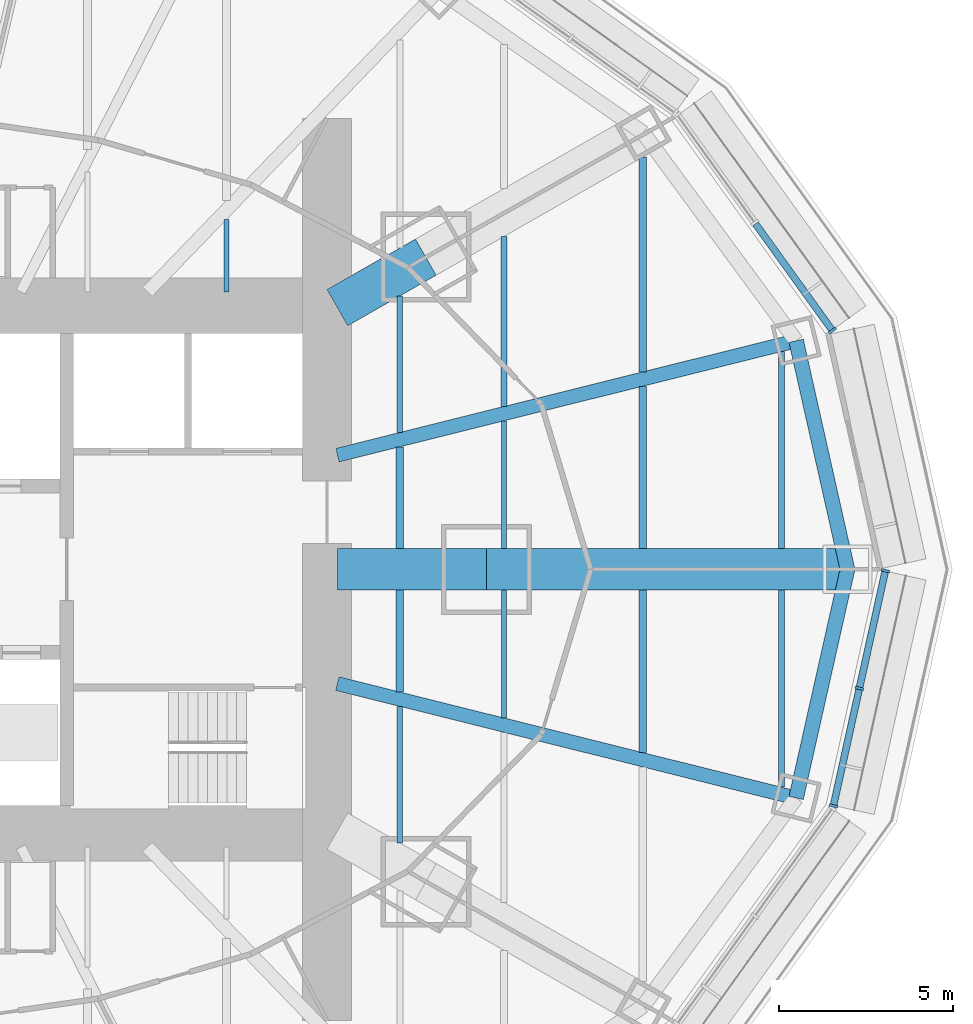
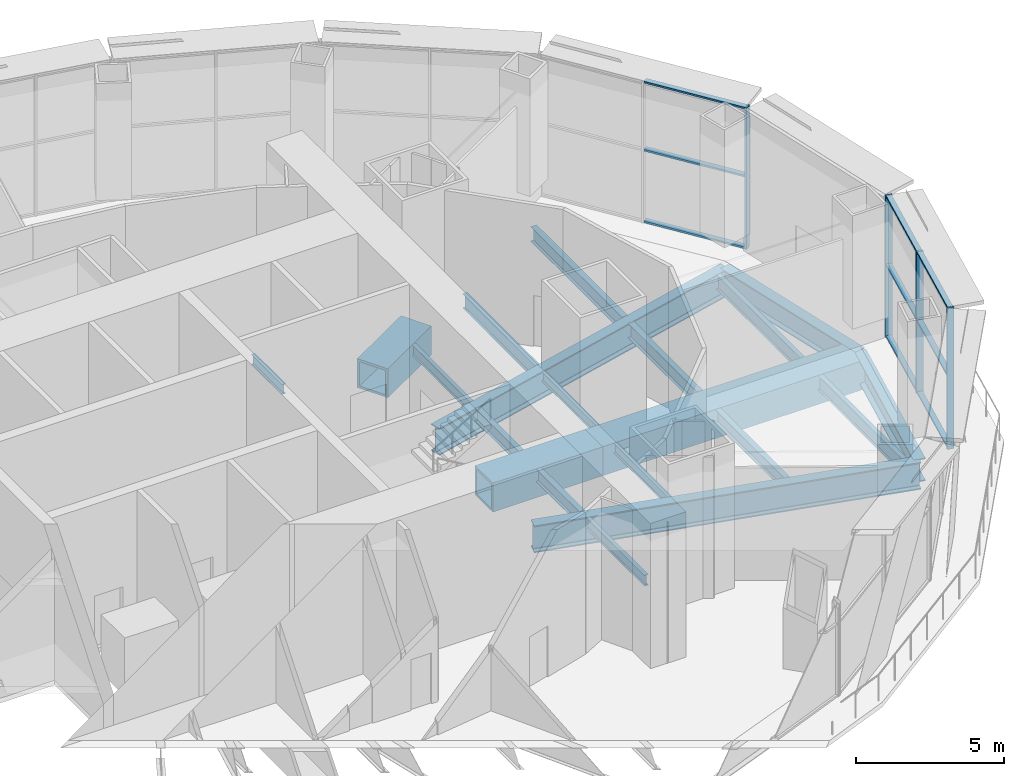
# One storey, part 5 of 21: 20 beams, 13 members, 2 elements without a shape of their own.
"""IFC4 building model written with IfcOpenShell, lengths in metres."""

from ifc_helpers import new_model, si_unit, direction, frame, origin, origin_2d, place, context, subcontext, project, spatial, rectangle, hollow_rectangle, i_section, extrude, material, material_profile, profile_set, type_object, element, aggregate, save


model = new_model("IFC4")

# Units and contexts
model_context = context("Model", 3, precision=1e-05, world=origin(), true_north=direction((0.0, 1.0)))
body_context = subcontext(model_context, "Body", "Model", "MODEL_VIEW")
ifc_project = project(units=[si_unit("LENGTHUNIT", "METRE"), si_unit("AREAUNIT", "SQUARE_METRE"), si_unit("VOLUMEUNIT", "CUBIC_METRE"), si_unit("PLANEANGLEUNIT", "RADIAN"), si_unit("MASSUNIT", "GRAM", prefix="KILO")], contexts=[model_context])

# Site, building, storey
site_placement = place(None, origin())
site = spatial("IfcSite", under=ifc_project, at=site_placement, CompositionType="ELEMENT")
building_placement = place(site_placement, origin())
building = spatial("IfcBuilding", under=site, at=building_placement, Name="Lantaw Convention Tower", CompositionType="ELEMENT")
storey_placement = place(building_placement, frame((0.0, 0.0, 111.39990234375)))
storey = spatial("IfcBuildingStorey", under=building, at=storey_placement, Name="L26", CompositionType="ELEMENT", Elevation=111.39990234375)

# Beams
ifc_material_1 = material(Name="Steel ASTM A992", Category="steel")
ifc_material_profile_1 = material_profile(ifc_material_1, i_section(OverallWidth=0.424072265625, OverallDepth=0.947509765625, WebThickness=0.02392578125, FlangeThickness=0.042724609375, FilletRadius=0.012451171875, at=origin_2d()), Name="W36X302")
ifc_profile_set_1 = profile_set([ifc_material_profile_1], Name="Steel ASTM A992")
beam_type_1 = type_object("IfcBeamType", Name="Beam BC W36X302", PredefinedType="SPANDREL", material=ifc_profile_set_1)
for number, where, z_axis, x_axis, name in (
    (1, (27.89990234375, 0.0, -0.673583984375), (-0.219211877447, 0.975677279015, 0.0), (-0.975677279015, -0.219211877447, 0.0), "Belt truss chord 1"),
    (2, (26.419921875, -6.587158203125, -0.673583984375), (0.219211877447, 0.975677279015, 0.0), (-0.975677279015, 0.219211877447, 0.0), "Belt truss chord 24"),
):
    element("IfcBeam", number, at=place(storey_placement, frame(where, z_axis=z_axis, x_axis=x_axis)), inside=storey, type_object=beam_type_1, Name=name, PredefinedType="SPANDREL", context=body_context, shape_type="SweptSolid", body=[
        extrude(i_section(OverallWidth=0.424072265625, OverallDepth=0.947509765625, WebThickness=0.02392578125, FlangeThickness=0.042724609375, FilletRadius=0.012451171875, at=origin_2d()), origin(), (0.0, 0.0, 1.0), 6.75146484375),
    ])
ifc_material_2 = material(Name="Steel EN 10025-3 S460N", Category="steel")
ifc_material_profile_2 = material_profile(ifc_material_2, hollow_rectangle(XDim=1.199951171875, YDim=1.199951171875, WallThickness=0.10009765625, at=origin_2d()), Name="BOX1200X100")
ifc_profile_set_2 = profile_set([ifc_material_profile_2], Name="Steel EN 10025-3 S460N")
beam_type_2 = type_object("IfcBeamType", Name="Beam G BOX1200X100", PredefinedType="BEAM", material=ifc_profile_set_2)
beam_1_placement = place(storey_placement, frame((17.5, 0.0, -0.7998046875), z_axis=(1.0, 0.0, 0.0), x_axis=(0.0, 1.0, 0.0)))
element("IfcBeam", 3, at=beam_1_placement, inside=storey, type_object=beam_type_2, Name="Floor girder on ray 1", PredefinedType="BEAM", context=body_context, shape_type="SweptSolid", body=[
    extrude(hollow_rectangle(XDim=1.199951171875, YDim=1.199951171875, WallThickness=0.10009765625, at=origin_2d()), origin(), (0.0, 0.0, 1.0), 10.39990234375),
])
ifc_material_profile_3 = material_profile(ifc_material_1, i_section(OverallWidth=0.40380859375, OverallDepth=1.11767578125, WebThickness=0.026123046875, FlangeThickness=0.044921875, FilletRadius=0.02001953125, at=origin_2d()), Name="W44X335")
ifc_profile_set_3 = profile_set([ifc_material_profile_3], Name="Steel ASTM A992")
beam_type_3 = type_object("IfcBeamType", Name="Beam G W44X335", PredefinedType="BEAM", material=ifc_profile_set_3)
for number, where, z_axis, x_axis, name in (
    (4, (13.199951171875, 3.291015625, -0.7587890625), (0.970295145923, 0.241924223256, 0.0), (-0.241924223256, 0.970295145923, 0.0), "Floor girder on ray 2"),
    (5, (13.199951171875, -3.291015625, -0.7587890625), (0.970295145923, -0.241924223256, 0.0), (0.241924223256, 0.970295145923, 0.0), "Floor girder on ray 24"),
):
    element("IfcBeam", number, at=place(storey_placement, frame(where, z_axis=z_axis, x_axis=x_axis)), inside=storey, type_object=beam_type_3, Name=name, PredefinedType="BEAM", context=body_context, shape_type="SweptSolid", body=[
        extrude(i_section(OverallWidth=0.40380859375, OverallDepth=1.11767578125, WebThickness=0.026123046875, FlangeThickness=0.044921875, FilletRadius=0.02001953125, at=origin_2d()), origin(), (0.0, 0.0, 1.0), 13.624755859375),
    ])
ifc_material_profile_4 = material_profile(ifc_material_1, i_section(OverallWidth=0.140380859375, OverallDepth=0.40380859375, WebThickness=0.007080078125, FlangeThickness=0.01123046875, FilletRadius=0.01025390625, at=origin_2d()), Name="W16X31")
ifc_profile_set_4 = profile_set([ifc_material_profile_4], Name="Steel ASTM A992")
beam_type_4 = type_object("IfcBeamType", Name="Beam J W16X31", PredefinedType="JOIST", material=ifc_profile_set_4)
beam_2_placement = place(storey_placement, frame((10.0, 8.0, -0.40185546875), z_axis=(0.0, 1.0, 0.0), x_axis=(-1.0, 0.0, 0.0)))
element("IfcBeam", 6, at=beam_2_placement, inside=storey, type_object=beam_type_4, Name="Floor joist", PredefinedType="JOIST", context=body_context, shape_type="SweptSolid", body=[
    extrude(i_section(OverallWidth=0.140380859375, OverallDepth=0.40380859375, WebThickness=0.007080078125, FlangeThickness=0.01123046875, FilletRadius=0.01025390625, at=origin_2d()), origin(), (0.0, 0.0, 1.0), 2.079345703125),
])
for number, where, z_axis, x_axis, name in (
    (7, (18.0, -4.27978515625, -0.40185546875), (0.0, 1.0, 0.0), (-1.0, 0.0, 0.0), "Floor joist"),
    (8, (18.0, 0.60009765625, -0.40185546875), (0.0, 1.0, 0.0), (-1.0, 0.0, 0.0), "Floor joist"),
):
    element("IfcBeam", number, at=place(storey_placement, frame(where, z_axis=z_axis, x_axis=x_axis)), inside=storey, type_object=beam_type_4, Name=name, PredefinedType="JOIST", context=body_context, shape_type="SweptSolid", body=[
        extrude(i_section(OverallWidth=0.140380859375, OverallDepth=0.40380859375, WebThickness=0.007080078125, FlangeThickness=0.01123046875, FilletRadius=0.01025390625, at=origin_2d()), origin(), (0.0, 0.0, 1.0), 3.6796875),
    ])
ifc_material_profile_5 = material_profile(ifc_material_1, i_section(OverallWidth=0.15234375, OverallDepth=0.449462890625, WebThickness=0.007568359375, FlangeThickness=0.0107421875, FilletRadius=0.01025390625, at=origin_2d()), Name="W18X35")
ifc_profile_set_5 = profile_set([ifc_material_profile_5], Name="Steel ASTM A992")
beam_type_5 = type_object("IfcBeamType", Name="Beam J W18X35", PredefinedType="JOIST", material=ifc_profile_set_5)
for number, where, z_axis, x_axis, name in (
    (9, (15.0, -7.88037109375, -0.4248046875), (0.0, 1.0, 0.0), (-1.0, 0.0, 0.0), "Floor joist"),
    (10, (15.0, 3.947998046875, -0.4248046875), (0.0, 1.0, 0.0), (-1.0, 0.0, 0.0), "Floor joist"),
):
    element("IfcBeam", number, at=place(storey_placement, frame(where, z_axis=z_axis, x_axis=x_axis)), inside=storey, type_object=beam_type_5, Name=name, PredefinedType="JOIST", context=body_context, shape_type="SweptSolid", body=[
        extrude(i_section(OverallWidth=0.15234375, OverallDepth=0.449462890625, WebThickness=0.007568359375, FlangeThickness=0.0107421875, FilletRadius=0.01025390625, at=origin_2d()), origin(), (0.0, 0.0, 1.0), 3.932373046875),
    ])
ifc_material_profile_6 = material_profile(ifc_material_1, i_section(OverallWidth=0.2099609375, OverallDepth=0.535888671875, WebThickness=0.010986328125, FlangeThickness=0.017333984375, FilletRadius=0.012939453125, at=origin_2d()), Name="W21X68")
ifc_profile_set_6 = profile_set([ifc_material_profile_6], Name="Steel ASTM A992")
beam_type_6 = type_object("IfcBeamType", Name="Beam J W21X68", PredefinedType="JOIST", material=ifc_profile_set_6)
for number, where, z_axis, x_axis, name in (
    (11, (15.0, -3.53173828125, -0.4677734375), (0.0, 1.0, 0.0), (-1.0, 0.0, 0.0), "Floor joist"),
    (12, (15.0, 0.60009765625, -0.4677734375), (0.0, 1.0, 0.0), (-1.0, 0.0, 0.0), "Floor joist"),
):
    element("IfcBeam", number, at=place(storey_placement, frame(where, z_axis=z_axis, x_axis=x_axis)), inside=storey, type_object=beam_type_6, Name=name, PredefinedType="JOIST", context=body_context, shape_type="SweptSolid", body=[
        extrude(i_section(OverallWidth=0.2099609375, OverallDepth=0.535888671875, WebThickness=0.010986328125, FlangeThickness=0.017333984375, FilletRadius=0.012939453125, at=origin_2d()), origin(), (0.0, 0.0, 1.0), 2.931640625),
    ])
beam_3_placement = place(storey_placement, frame((22.0, -5.277099609375, -0.4677734375), z_axis=(0.0, 1.0, 0.0), x_axis=(-1.0, 0.0, 0.0)))
element("IfcBeam", 13, at=beam_3_placement, inside=storey, type_object=beam_type_6, Name="Floor joist", PredefinedType="JOIST", context=body_context, shape_type="SweptSolid", body=[
    extrude(i_section(OverallWidth=0.2099609375, OverallDepth=0.535888671875, WebThickness=0.010986328125, FlangeThickness=0.017333984375, FilletRadius=0.012939453125, at=origin_2d()), origin(), (0.0, 0.0, 1.0), 4.677001953125),
])
ifc_material_profile_7 = material_profile(ifc_material_1, i_section(OverallWidth=0.177978515625, OverallDepth=0.599365234375, WebThickness=0.010009765625, FlangeThickness=0.012939453125, FilletRadius=0.012939453125, at=origin_2d()), Name="W24X55")
ifc_profile_set_7 = profile_set([ifc_material_profile_7], Name="Steel ASTM A992")
beam_type_7 = type_object("IfcBeamType", Name="Beam J W24X55", PredefinedType="JOIST", material=ifc_profile_set_7)
beam_4_placement = place(storey_placement, frame((18.0, 4.696044921875, -0.49951171875), z_axis=(0.0, 1.0, 0.0), x_axis=(-1.0, 0.0, 0.0)))
element("IfcBeam", 14, at=beam_4_placement, inside=storey, type_object=beam_type_7, Name="Floor joist", PredefinedType="JOIST", context=body_context, shape_type="SweptSolid", body=[
    extrude(i_section(OverallWidth=0.177978515625, OverallDepth=0.599365234375, WebThickness=0.010009765625, FlangeThickness=0.012939453125, FilletRadius=0.012939453125, at=origin_2d()), origin(), (0.0, 0.0, 1.0), 4.898681640625),
])
for number, where, z_axis, x_axis, name in (
    (15, (26.0, -6.2744140625, -0.49951171875), (0.0, 1.0, 0.0), (-1.0, 0.0, 0.0), "Floor joist"),
    (16, (26.0, 0.60009765625, -0.49951171875), (0.0, 1.0, 0.0), (-1.0, 0.0, 0.0), "Floor joist"),
):
    element("IfcBeam", number, at=place(storey_placement, frame(where, z_axis=z_axis, x_axis=x_axis)), inside=storey, type_object=beam_type_7, Name=name, PredefinedType="JOIST", context=body_context, shape_type="SweptSolid", body=[
        extrude(i_section(OverallWidth=0.177978515625, OverallDepth=0.599365234375, WebThickness=0.010009765625, FlangeThickness=0.012939453125, FilletRadius=0.012939453125, at=origin_2d()), origin(), (0.0, 0.0, 1.0), 5.67431640625),
    ])
ifc_material_profile_8 = material_profile(ifc_material_1, i_section(OverallWidth=0.227783203125, OverallDepth=0.60205078125, WebThickness=0.010498046875, FlangeThickness=0.014892578125, FilletRadius=0.012939453125, at=origin_2d()), Name="W24X68")
ifc_profile_set_8 = profile_set([ifc_material_profile_8], Name="Steel ASTM A992")
beam_type_8 = type_object("IfcBeamType", Name="Beam J W24X68", PredefinedType="JOIST", material=ifc_profile_set_8)
beam_5_placement = place(storey_placement, frame((22.0, 0.60009765625, -0.5009765625), z_axis=(0.0, 1.0, 0.0), x_axis=(-1.0, 0.0, 0.0)))
element("IfcBeam", 17, at=beam_5_placement, inside=storey, type_object=beam_type_8, Name="Floor joist", PredefinedType="JOIST", context=body_context, shape_type="SweptSolid", body=[
    extrude(i_section(OverallWidth=0.227783203125, OverallDepth=0.60205078125, WebThickness=0.010498046875, FlangeThickness=0.014892578125, FilletRadius=0.012939453125, at=origin_2d()), origin(), (0.0, 0.0, 1.0), 4.677001953125),
])
ifc_material_profile_9 = material_profile(ifc_material_1, i_section(OverallWidth=0.22900390625, OverallDepth=0.612060546875, WebThickness=0.011962890625, FlangeThickness=0.01953125, FilletRadius=0.0126953125, at=origin_2d()), Name="W24X84")
ifc_profile_set_9 = profile_set([ifc_material_profile_9], Name="Steel ASTM A992")
beam_type_9 = type_object("IfcBeamType", Name="Beam J W24X84", PredefinedType="JOIST", material=ifc_profile_set_9)
beam_6_placement = place(storey_placement, frame((22.0, 5.693359375, -0.505859375), z_axis=(0.0, 1.0, 0.0), x_axis=(-1.0, 0.0, 0.0)))
element("IfcBeam", 18, at=beam_6_placement, inside=storey, type_object=beam_type_9, Name="Floor joist", PredefinedType="JOIST", context=body_context, shape_type="SweptSolid", body=[
    extrude(i_section(OverallWidth=0.22900390625, OverallDepth=0.612060546875, WebThickness=0.011962890625, FlangeThickness=0.01953125, FilletRadius=0.0126953125, at=origin_2d()), origin(), (0.0, 0.0, 1.0), 6.18701171875),
])
ifc_material_profile_10 = material_profile(ifc_material_2, hollow_rectangle(XDim=1.199951171875, YDim=1.199951171875, WallThickness=0.10009765625, at=origin_2d()), Name="BOX1200X100")
ifc_profile_set_10 = profile_set([ifc_material_profile_10], Name="Steel EN 10025-3 S460N")
beam_type_10 = type_object("IfcBeamType", Name="Beam OC BOX1200X100", PredefinedType="BEAM", material=ifc_profile_set_10)
beam_7_placement = place(storey_placement, frame((13.199951171875, 0.0, -0.7998046875), z_axis=(1.0, 0.0, 0.0), x_axis=(0.0, 1.0, 0.0)))
element("IfcBeam", 19, at=beam_7_placement, inside=storey, type_object=beam_type_10, Name="Outrigger chord on ray 1", PredefinedType="BEAM", context=body_context, shape_type="SweptSolid", body=[
    extrude(hollow_rectangle(XDim=1.199951171875, YDim=1.199951171875, WallThickness=0.10009765625, at=origin_2d()), origin(), (0.0, 0.0, 1.0), 4.300048828125),
])
beam_8_placement = place(storey_placement, frame((13.199951171875, 7.54296875, -0.7998046875), z_axis=(0.868263603466, 0.496103129295, 0.0), x_axis=(-0.496103129295, 0.868263603466, 0.0)))
element("IfcBeam", 20, at=beam_8_placement, inside=storey, type_object=beam_type_10, Name="Outrigger chord on ray 3", PredefinedType="BEAM", context=body_context, shape_type="SweptSolid", body=[
    extrude(hollow_rectangle(XDim=1.199951171875, YDim=1.199951171875, WallThickness=0.10009765625, at=origin_2d()), origin(), (0.0, 0.0, 1.0), 2.93701171875),
])

# Curtain wall, member
ifc_material_3 = material(Name="Aluminium framed curtain wall", Category="aluminium")
curtain_wall_type = type_object("IfcCurtainWallType", Name="Sky lobby curtain wall L26, pale aluminium", PredefinedType="USERDEFINED", material=ifc_material_3)
curtain_wall_1_placement = place(storey_placement, origin())
curtain_wall_1 = element("IfcCurtainWall", 21, at=curtain_wall_1_placement, inside=storey, type_object=curtain_wall_type, Name="Sky lobby curtain wall L26, pale aluminium L26", ObjectType="STICK CURTAIN WALL", PredefinedType="USERDEFINED")
ifc_material_4 = material(Name="Aluminium 6063-T6", Category="aluminium")
ifc_material_profile_11 = material_profile(ifc_material_4, rectangle(XDim=0.25, YDim=0.074951171875, at=origin_2d()), Name="CW-SL mullion 75x250")
ifc_profile_set_11 = profile_set([ifc_material_profile_11], Name="Aluminium 6063-T6")
member_type_1 = type_object("IfcMemberType", Name="CW-SL mullion 75x250", PredefinedType="MULLION", material=ifc_profile_set_11)
member_1_placement = place(storey_placement, frame((27.46533203125, 6.8837890625, 0.0), z_axis=(0.0, 0.0, 1.0), x_axis=(-0.811384633629, -0.584512597221, 0.0)))
member_1 = element("IfcMember", 22, at=member_1_placement, type_object=member_type_1, Name="CW-SL mullion 1", PredefinedType="MULLION", context=body_context, shape_type="SweptSolid", body=[
    extrude(rectangle(XDim=0.25, YDim=0.074951171875, at=origin_2d()), origin(), (0.0, 0.0, 1.0), 5.85009765625),
])

# Curtain wall, members
curtain_wall_2_placement = place(storey_placement, origin())
curtain_wall_2 = element("IfcCurtainWall", 23, at=curtain_wall_2_placement, inside=storey, type_object=curtain_wall_type, Name="Sky lobby curtain wall L26, pale aluminium L26", ObjectType="STICK CURTAIN WALL", PredefinedType="USERDEFINED")
member_2_placement = place(storey_placement, frame((27.495361328125, -6.816650390625, 0.0), z_axis=(0.0, 0.0, 1.0), x_axis=(-0.9764936509, 0.215546166174, 0.0)))
member_2 = element("IfcMember", 24, at=member_2_placement, type_object=member_type_1, Name="CW-SL mullion 1", PredefinedType="MULLION", context=body_context, shape_type="SweptSolid", body=[
    extrude(rectangle(XDim=0.25, YDim=0.074951171875, at=origin_2d()), origin(), (0.0, 0.0, 1.0), 5.85009765625),
])
member_3_placement = place(storey_placement, frame((28.24365234375, -3.4267578125, 0.0), z_axis=(0.0, 0.0, 1.0), x_axis=(-0.9764936509, 0.215546166174, 0.0)))
member_3 = element("IfcMember", 25, at=member_3_placement, type_object=member_type_1, Name="CW-SL mullion 2", PredefinedType="MULLION", context=body_context, shape_type="SweptSolid", body=[
    extrude(rectangle(XDim=0.25, YDim=0.074951171875, at=origin_2d()), origin(), (0.0, 0.0, 1.0), 5.85009765625),
])
member_4_placement = place(storey_placement, frame((28.991943359375, -0.03662109375, 0.0), z_axis=(0.0, 0.0, 1.0), x_axis=(-0.9764936509, 0.215546166174, 0.0)))
member_4 = element("IfcMember", 26, at=member_4_placement, type_object=member_type_1, Name="CW-SL mullion 3", PredefinedType="MULLION", context=body_context, shape_type="SweptSolid", body=[
    extrude(rectangle(XDim=0.25, YDim=0.074951171875, at=origin_2d()), origin(), (0.0, 0.0, 1.0), 5.85009765625),
])

# Member
ifc_material_profile_12 = material_profile(ifc_material_4, rectangle(XDim=0.199951171875, YDim=0.074951171875, at=origin_2d()), Name="CW-SL transom 75x200")
ifc_profile_set_12 = profile_set([ifc_material_profile_12], Name="Aluminium 6063-T6")
member_type_2 = type_object("IfcMemberType", Name="CW-SL transom 75x200", PredefinedType="USERDEFINED", material=ifc_profile_set_12)
member_5_placement = place(storey_placement, frame((27.443359375, 6.914306640625, 0.03759765625), z_axis=(-0.584544666344, 0.811361530422, 0.0), x_axis=(-0.811361530422, -0.584544666344, 0.0)))
member_5 = element("IfcMember", 27, at=member_5_placement, type_object=member_type_2, Name="CW-SL transom 1.1", ObjectType="TRANSOM", PredefinedType="USERDEFINED", context=body_context, shape_type="SweptSolid", body=[
    extrude(rectangle(XDim=0.199951171875, YDim=0.074951171875, at=origin_2d()), origin(), (0.0, 0.0, 1.0), 3.752197265625),
])

member_6_placement = place(storey_placement, frame((27.443359375, 6.914306640625, 3.0), z_axis=(-0.584544666344, 0.811361530422, 0.0), x_axis=(-0.811361530422, -0.584544666344, 0.0)))
member_6 = element("IfcMember", 28, at=member_6_placement, type_object=member_type_2, Name="CW-SL transom 1.2", ObjectType="TRANSOM", PredefinedType="USERDEFINED", context=body_context, shape_type="SweptSolid", body=[
    extrude(rectangle(XDim=0.199951171875, YDim=0.074951171875, at=origin_2d()), origin(), (0.0, 0.0, 1.0), 3.752197265625),
])

member_7_placement = place(storey_placement, frame((27.443359375, 6.914306640625, 5.8125), z_axis=(-0.584544666344, 0.811361530422, 0.0), x_axis=(-0.811361530422, -0.584544666344, 0.0)))
member_7 = element("IfcMember", 29, at=member_7_placement, type_object=member_type_2, Name="CW-SL transom 1.3", ObjectType="TRANSOM", PredefinedType="USERDEFINED", context=body_context, shape_type="SweptSolid", body=[
    extrude(rectangle(XDim=0.199951171875, YDim=0.074951171875, at=origin_2d()), origin(), (0.0, 0.0, 1.0), 3.752197265625),
])

aggregate(curtain_wall_1, [member_1, member_5, member_6, member_7])

member_8_placement = place(storey_placement, frame((27.50341796875, -6.780029296875, 0.03759765625), z_axis=(0.215567910483, 0.97648885092, 0.0), x_axis=(-0.97648885092, 0.215567910483, 0.0)))
member_8 = element("IfcMember", 30, at=member_8_placement, type_object=member_type_2, Name="CW-SL transom 1.1", ObjectType="TRANSOM", PredefinedType="USERDEFINED", context=body_context, shape_type="SweptSolid", body=[
    extrude(rectangle(XDim=0.199951171875, YDim=0.074951171875, at=origin_2d()), origin(), (0.0, 0.0, 1.0), 3.396484375),
])

member_9_placement = place(storey_placement, frame((27.50341796875, -6.780029296875, 3.0), z_axis=(0.215567910483, 0.97648885092, 0.0), x_axis=(-0.97648885092, 0.215567910483, 0.0)))
member_9 = element("IfcMember", 31, at=member_9_placement, type_object=member_type_2, Name="CW-SL transom 1.2", ObjectType="TRANSOM", PredefinedType="USERDEFINED", context=body_context, shape_type="SweptSolid", body=[
    extrude(rectangle(XDim=0.199951171875, YDim=0.074951171875, at=origin_2d()), origin(), (0.0, 0.0, 1.0), 3.396484375),
])

member_10_placement = place(storey_placement, frame((27.50341796875, -6.780029296875, 5.8125), z_axis=(0.215567910483, 0.97648885092, 0.0), x_axis=(-0.97648885092, 0.215567910483, 0.0)))
member_10 = element("IfcMember", 32, at=member_10_placement, type_object=member_type_2, Name="CW-SL transom 1.3", ObjectType="TRANSOM", PredefinedType="USERDEFINED", context=body_context, shape_type="SweptSolid", body=[
    extrude(rectangle(XDim=0.199951171875, YDim=0.074951171875, at=origin_2d()), origin(), (0.0, 0.0, 1.0), 3.396484375),
])

member_11_placement = place(storey_placement, frame((28.251708984375, -3.39013671875, 0.03759765625), z_axis=(0.215552780818, 0.976492190794, 0.0), x_axis=(-0.976492190794, 0.215552780818, 0.0)))
member_11 = element("IfcMember", 33, at=member_11_placement, type_object=member_type_2, Name="CW-SL transom 2.1", ObjectType="TRANSOM", PredefinedType="USERDEFINED", context=body_context, shape_type="SweptSolid", body=[
    extrude(rectangle(XDim=0.199951171875, YDim=0.074951171875, at=origin_2d()), origin(), (0.0, 0.0, 1.0), 3.396728515625),
])

member_12_placement = place(storey_placement, frame((28.251708984375, -3.39013671875, 3.0), z_axis=(0.215552780818, 0.976492190794, 0.0), x_axis=(-0.976492190794, 0.215552780818, 0.0)))
member_12 = element("IfcMember", 34, at=member_12_placement, type_object=member_type_2, Name="CW-SL transom 2.2", ObjectType="TRANSOM", PredefinedType="USERDEFINED", context=body_context, shape_type="SweptSolid", body=[
    extrude(rectangle(XDim=0.199951171875, YDim=0.074951171875, at=origin_2d()), origin(), (0.0, 0.0, 1.0), 3.396728515625),
])

member_13_placement = place(storey_placement, frame((28.251708984375, -3.39013671875, 5.8125), z_axis=(0.215552780818, 0.976492190794, 0.0), x_axis=(-0.976492190794, 0.215552780818, 0.0)))
member_13 = element("IfcMember", 35, at=member_13_placement, type_object=member_type_2, Name="CW-SL transom 2.3", ObjectType="TRANSOM", PredefinedType="USERDEFINED", context=body_context, shape_type="SweptSolid", body=[
    extrude(rectangle(XDim=0.199951171875, YDim=0.074951171875, at=origin_2d()), origin(), (0.0, 0.0, 1.0), 3.396728515625),
])

aggregate(curtain_wall_2, [member_2, member_3, member_4, member_8, member_9, member_10, member_11, member_12, member_13])

save(model, "model.ifc")
